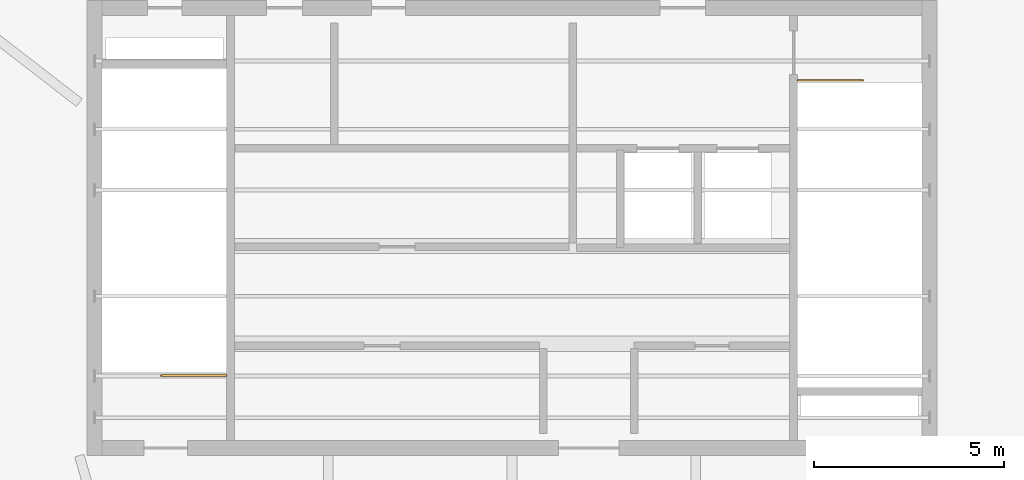
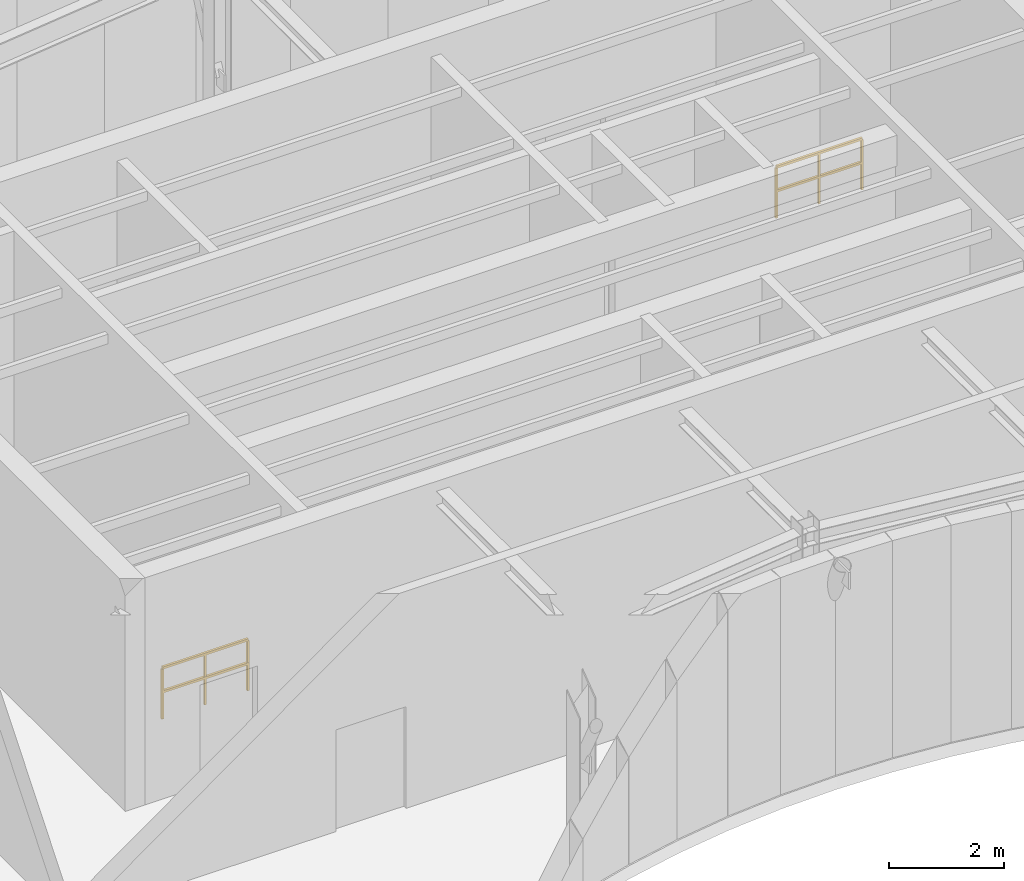
# One storey, part 6 of 6: 2 railings.
"""IFC4 building model written with IfcOpenShell, lengths in metres."""

from ifc_helpers import new_model, si_unit, direction, frame, origin, origin_2d, place, context, subcontext, project, spatial, rectangle, extrude, material, type_object, element, save


model = new_model("IFC4")

# Units and contexts
model_context = context("Model", 3, precision=1e-05, world=origin(), true_north=direction((0.0, 1.0)))
body_context = subcontext(model_context, "Body", "Model", "MODEL_VIEW")
ifc_project = project(units=[si_unit("LENGTHUNIT", "METRE"), si_unit("AREAUNIT", "SQUARE_METRE"), si_unit("VOLUMEUNIT", "CUBIC_METRE"), si_unit("PLANEANGLEUNIT", "RADIAN"), si_unit("MASSUNIT", "GRAM", prefix="KILO")], contexts=[model_context])

# Site, building, storey
site_placement = place(None, origin())
site = spatial("IfcSite", under=ifc_project, at=site_placement, CompositionType="ELEMENT")
building_placement = place(site_placement, origin())
building = spatial("IfcBuilding", under=site, at=building_placement, Name="Breltana Convention Tower", CompositionType="ELEMENT")
storey_placement = place(building_placement, frame((0.0, 0.0, 323.39990234375)))
storey = spatial("IfcBuildingStorey", under=building, at=storey_placement, Name="L78", CompositionType="ELEMENT", Elevation=323.39990234375)

# Railings
ifc_material = material(Name="Steel S275 Painted", Category="steel")
railing_type = type_object("IfcRailingType", Name="RL-STAIR-GUARD-1100", PredefinedType="GUARDRAIL", material=ifc_material)
railing_1_placement = place(storey_placement, frame((40.469970703125, 62.31005859375, 0.0)))
element("IfcRailing", 1, at=railing_1_placement, inside=storey, type_object=railing_type, Name="L78 ST-1 top well guard 1", PredefinedType="GUARDRAIL", context=body_context, shape_type="SweptSolid", body=[
    extrude(rectangle(XDim=0.048095703125, YDim=0.048095703125, at=origin_2d()), frame((0.0, 0.0, 1.076171875), z_axis=(-1.0, 0.0, 0.0), x_axis=(0.0, -1.0, 0.0)), (0.0, 0.0, 1.0), 1.7099609375),
    extrude(rectangle(XDim=0.048095703125, YDim=0.048095703125, at=origin_2d()), frame((0.0, 0.0, 0.572021484375), z_axis=(-1.0, 0.0, 0.0), x_axis=(0.0, -1.0, 0.0)), (0.0, 0.0, 1.0), 1.7099609375),
    extrude(rectangle(XDim=0.0419921875, YDim=0.0419921875, at=origin_2d()), origin(), (0.0, 0.0, 1.0), 1.052001953125),
    extrude(rectangle(XDim=0.0419921875, YDim=0.0419921875, at=origin_2d()), frame((-0.85498046875, 0.0, 0.0)), (0.0, 0.0, 1.0), 1.052001953125),
    extrude(rectangle(XDim=0.0419921875, YDim=0.0419921875, at=origin_2d()), frame((-1.7099609375, 0.0, 0.0)), (0.0, 0.0, 1.0), 1.052001953125),
])
railing_2_placement = place(storey_placement, frame((55.530029296875, 70.090087890625, 0.0)))
element("IfcRailing", 2, at=railing_2_placement, inside=storey, type_object=railing_type, Name="L78 ST-2 top well guard 1", PredefinedType="GUARDRAIL", context=body_context, shape_type="SweptSolid", body=[
    extrude(rectangle(XDim=0.048095703125, YDim=0.048095703125, at=origin_2d()), frame((0.0, 0.0, 1.076171875), z_axis=(1.0, 0.0, 0.0), x_axis=(0.0, 1.0, 0.0)), (0.0, 0.0, 1.0), 1.7099609375),
    extrude(rectangle(XDim=0.048095703125, YDim=0.048095703125, at=origin_2d()), frame((0.0, 0.0, 0.572021484375), z_axis=(1.0, 0.0, 0.0), x_axis=(0.0, 1.0, 0.0)), (0.0, 0.0, 1.0), 1.7099609375),
    extrude(rectangle(XDim=0.0419921875, YDim=0.0419921875, at=origin_2d()), origin(), (0.0, 0.0, 1.0), 1.052001953125),
    extrude(rectangle(XDim=0.0419921875, YDim=0.0419921875, at=origin_2d()), frame((0.85498046875, 0.0, 0.0)), (0.0, 0.0, 1.0), 1.052001953125),
    extrude(rectangle(XDim=0.0419921875, YDim=0.0419921875, at=origin_2d()), frame((1.7099609375, 0.0, 0.0)), (0.0, 0.0, 1.0), 1.052001953125),
])

save(model, "model.ifc")
